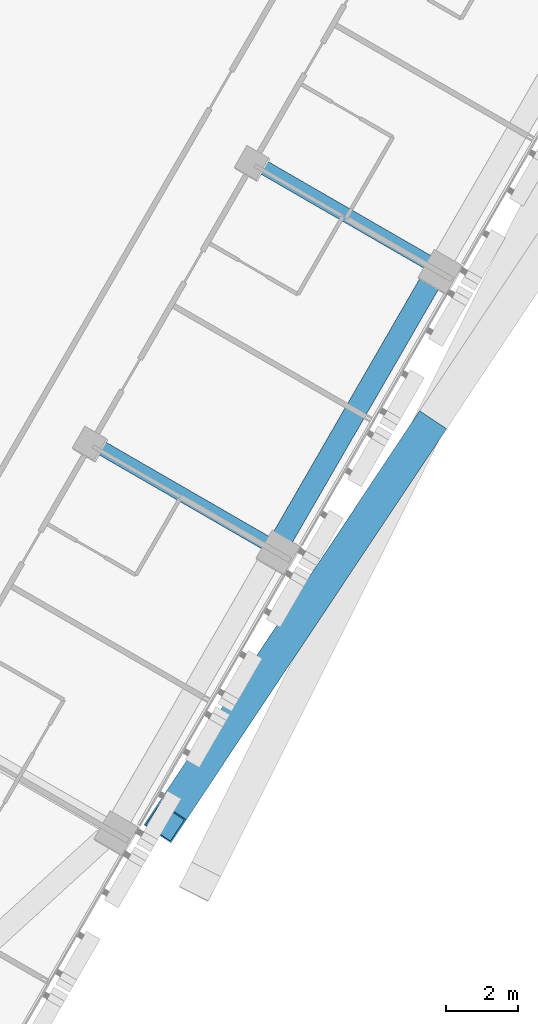
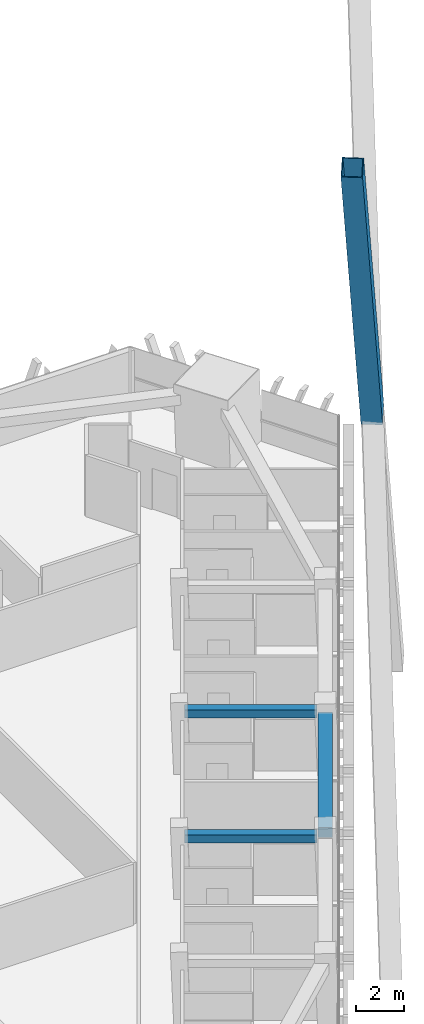
# One storey, part 8 of 24: 3 beams, 1 member.
"""IFC4 building model written with IfcOpenShell, lengths in metres."""

from ifc_helpers import new_model, si_unit, direction, frame, origin, origin_2d, place, context, subcontext, project, spatial, rectangle, hollow_rectangle, extrude, material, material_profile, profile_set, type_object, element, save


model = new_model("IFC4")

# Units and contexts
model_context = context("Model", 3, precision=1e-05, world=origin(), true_north=direction((0.0, 1.0)))
body_context = subcontext(model_context, "Body", "Model", "MODEL_VIEW")
ifc_project = project(units=[si_unit("LENGTHUNIT", "METRE"), si_unit("AREAUNIT", "SQUARE_METRE"), si_unit("VOLUMEUNIT", "CUBIC_METRE"), si_unit("PLANEANGLEUNIT", "RADIAN"), si_unit("MASSUNIT", "GRAM", prefix="KILO")], contexts=[model_context])

# Site, building, storey
site_placement = place(None, origin())
site = spatial("IfcSite", under=ifc_project, at=site_placement, CompositionType="ELEMENT")
building_placement = place(site_placement, origin())
building = spatial("IfcBuilding", under=site, at=building_placement, Name="Altiplano Prism Tower", CompositionType="ELEMENT")
storey_placement = place(building_placement, frame((0.0, 0.0, 27.0)))
storey = spatial("IfcBuildingStorey", under=building, at=storey_placement, Name="L05", CompositionType="ELEMENT", Elevation=27.0)

# Beam
ifc_material_1 = material(Name="Concrete C60/75", Category="concrete")
ifc_material_profile_1 = material_profile(ifc_material_1, rectangle(XDim=0.60009765625, YDim=0.5, at=origin_2d()), Name="Edge beam 600x500")
ifc_profile_set_1 = profile_set([ifc_material_profile_1], Name="Concrete C60/75")
beam_type_1 = type_object("IfcBeamType", Name="Edge beam 600x500", PredefinedType="SPANDREL", material=ifc_profile_set_1)
beam_1_placement = place(storey_placement, frame((100.6318359375, 70.252197265625, 2.85009765625), z_axis=(0.499992746786, 0.866029591389, 0.0), x_axis=(-0.866029591389, 0.499992746786, 0.0)))
element("IfcBeam", 1, at=beam_1_placement, inside=storey, type_object=beam_type_1, Name="Edge beam P22-P23 L06", PredefinedType="SPANDREL", context=body_context, shape_type="SweptSolid", body=[
    extrude(rectangle(XDim=0.60009765625, YDim=0.5, at=origin_2d()), origin(), (0.0, 0.0, 1.0), 8.33984375),
])

# Member
ifc_material_2 = material(Name="Steel S355", Category="steel")
ifc_material_profile_2 = material_profile(ifc_material_2, hollow_rectangle(XDim=0.89990234375, YDim=0.89990234375, WallThickness=0.0400390625, at=origin_2d()), Name="Mega brace Box 900x900x40")
ifc_profile_set_2 = profile_set([ifc_material_profile_2], Name="Steel S355")
member_type = type_object("IfcMemberType", Name="Mega brace Box 900x900x40", PredefinedType="BRACE", material=ifc_profile_set_2)
member_placement = place(storey_placement, frame((104.61181640625, 73.231201171875, 20.75), z_axis=(-0.286512013261, -0.430367862697, 0.85597568249), x_axis=(0.832407107089, -0.554164603766, 0.0)))
element("IfcMember", 2, at=member_placement, inside=storey, type_object=member_type, Name="Mega brace 1.2.4", PredefinedType="BRACE", context=body_context, shape_type="SweptSolid", body=[
    extrude(hollow_rectangle(XDim=0.89990234375, YDim=0.89990234375, WallThickness=0.0400390625, at=origin_2d()), origin(), (0.0, 0.0, 1.0), 25.234375),
])

# Beams
ifc_material_profile_3 = material_profile(ifc_material_1, rectangle(XDim=0.39990234375, YDim=0.39990234375, at=origin_2d()), Name="Tie beam 400x400")
ifc_profile_set_3 = profile_set([ifc_material_profile_3], Name="Concrete C60/75")
beam_type_2 = type_object("IfcBeamType", Name="Tie beam 400x400", PredefinedType="BEAM", material=ifc_profile_set_3)
beam_2_placement = place(storey_placement, frame((95.426513671875, 72.87646484375, 2.89990234375), z_axis=(0.866023410697, -0.500003452112, 0.0), x_axis=(0.500003452112, 0.866023410697, 0.0)))
element("IfcBeam", 3, at=beam_2_placement, inside=storey, type_object=beam_type_2, Name="Tie beam I22 L06", PredefinedType="BEAM", context=body_context, shape_type="SweptSolid", body=[
    extrude(rectangle(XDim=0.39990234375, YDim=0.39990234375, at=origin_2d()), origin(), (0.0, 0.0, 1.0), 5.490234375),
])
beam_3_placement = place(storey_placement, frame((99.926513671875, 80.670654296875, 2.89990234375), z_axis=(0.866042665983, -0.499970099802, 0.0), x_axis=(0.499970099802, 0.866042665983, 0.0)))
element("IfcBeam", 4, at=beam_3_placement, inside=storey, type_object=beam_type_2, Name="Tie beam I23 L06", PredefinedType="BEAM", context=body_context, shape_type="SweptSolid", body=[
    extrude(rectangle(XDim=0.39990234375, YDim=0.39990234375, at=origin_2d()), origin(), (0.0, 0.0, 1.0), 5.489990234375),
])

save(model, "model.ifc")
